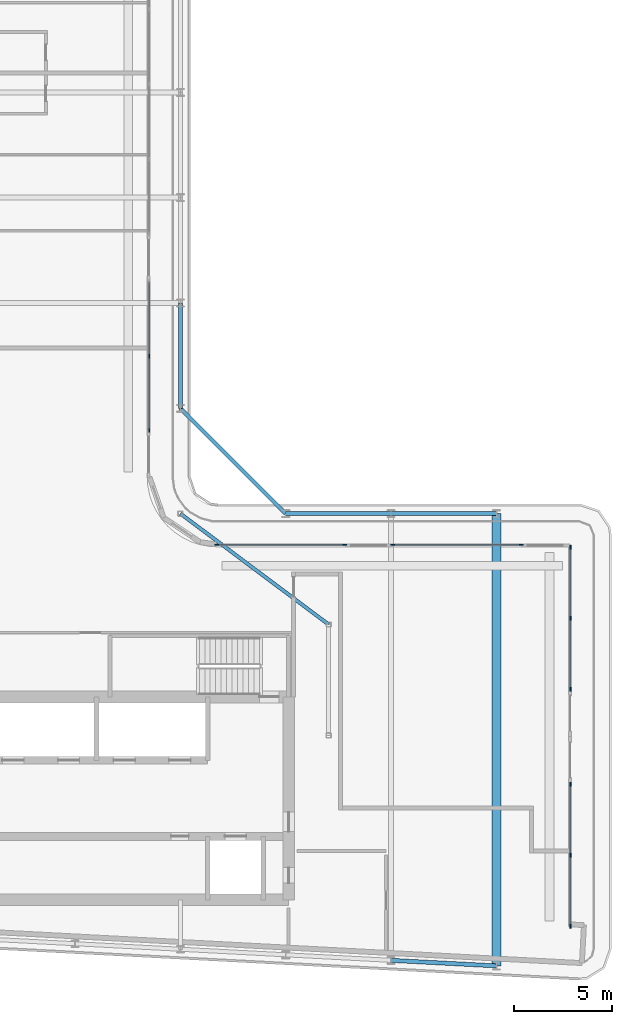
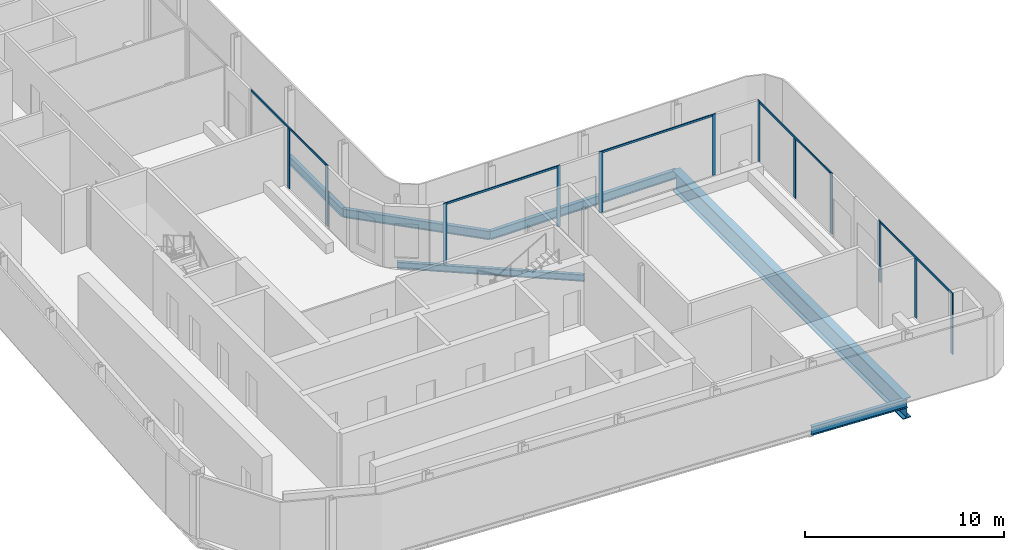
# One storey, part 6 of 20: 17 members, 7 beams, 5 elements without a shape of their own.
"""IFC4 building model written with IfcOpenShell, lengths in metres."""

import ifcopenshell
import ifcopenshell.guid

model = None  # the IFC model being written
_history = None  # IfcOwnerHistory: only IFC2X3 demands one
_inside = {}  # id of a spatial element -> (the spatial element, [elements in it])
_under = {}  # id of a project, library or spatial element -> (it, [spatial elements below it])
_declared = {}  # id of a project -> (the project, [libraries it declares])
_typed = {}  # id of a type object -> (the type object, [elements of that type])
_made_of = {}  # id of a material, layer set ... -> (it, [elements and type objects made of it])


def new_model(schema):
    """Start an empty IFC model of exactly this schema.

    Asked for "IFC4X3", IfcOpenShell would pick the latest addendum, in which some entities
    have other attributes; the version numbers below select the first issue.
    IFC2X3 requires an IfcOwnerHistory on every rooted entity: one is made here for all.
    """
    global model, _history
    if schema == "IFC4X3":
        model = ifcopenshell.file(schema_version=(4, 3, 0, 0))
    else:
        model = ifcopenshell.file(schema=schema)
    _inside.clear()
    _under.clear()
    _declared.clear()
    _typed.clear()
    _made_of.clear()
    _history = None
    if model.schema == "IFC2X3":
        org = make("IfcOrganization", Name="unknown")
        user = make(
            "IfcPersonAndOrganization",
            ThePerson=make("IfcPerson", FamilyName="unknown"),
            TheOrganization=org,
        )
        app = make(
            "IfcApplication",
            ApplicationDeveloper=org,
            Version="unknown",
            ApplicationFullName="unknown",
            ApplicationIdentifier="unknown",
        )
        _history = make(
            "IfcOwnerHistory",
            OwningUser=user,
            OwningApplication=app,
            ChangeAction="ADDED",
            CreationDate=0,
        )
    return model


def make(cls, **values):
    """One entity of the class cls with the attributes given. An attribute that is None is left unset."""
    return model.create_entity(
        cls, **{name: value for name, value in values.items() if value is not None}
    )


def rooted(cls, **values):
    """An entity with a GlobalId (a new one), such as an element, a storey or a relation."""
    return make(cls, GlobalId=ifcopenshell.guid.new(), OwnerHistory=_history, **values)


def si_unit(unit_type, name, prefix=None):
    """IfcSIUnit, for example si_unit("LENGTHUNIT", "METRE", prefix="MILLI")."""
    return make("IfcSIUnit", UnitType=unit_type, Prefix=prefix, Name=name)


def assignment(units):
    """IfcUnitAssignment: the units of a project."""
    return None if units is None else make("IfcUnitAssignment", Units=units)


def point(xyz):
    """IfcCartesianPoint."""
    return None if xyz is None else make("IfcCartesianPoint", Coordinates=xyz)


def direction(xyz):
    """IfcDirection."""
    return None if xyz is None else make("IfcDirection", DirectionRatios=xyz)


def frame(location, z_axis=None, x_axis=None):
    """IfcAxis2Placement3D, a coordinate frame: its origin and axes. An axis left out is left unset."""
    return make(
        "IfcAxis2Placement3D",
        Location=point(location),
        Axis=direction(z_axis),
        RefDirection=direction(x_axis),
    )


def frame_2d(location, x_axis=None):
    """IfcAxis2Placement2D, a coordinate frame in the plane: its origin and x axis."""
    return make(
        "IfcAxis2Placement2D", Location=point(location), RefDirection=direction(x_axis)
    )


def origin():
    """The frame at (0, 0, 0) with its axes left unset."""
    return frame((0.0, 0.0, 0.0))


def origin_2d():
    """The frame at (0, 0) in the plane with its x axis left unset."""
    return frame_2d((0.0, 0.0))


def place(relative_to, where):
    """IfcLocalPlacement: puts the frame where relative to a parent placement (None: the world)."""
    return make(
        "IfcLocalPlacement", PlacementRelTo=relative_to, RelativePlacement=where
    )


def context(
    kind, dimensions, precision=None, world=None, true_north=None, identifier=None
):
    """IfcGeometricRepresentationContext, for example the 3D "Model" context."""
    return make(
        "IfcGeometricRepresentationContext",
        ContextIdentifier=identifier,
        ContextType=kind,
        CoordinateSpaceDimension=dimensions,
        Precision=precision,
        WorldCoordinateSystem=world,
        TrueNorth=true_north,
    )


def subcontext(parent, identifier, kind, view, scale=None):
    """IfcGeometricRepresentationSubContext, for example "Body" below "Model"."""
    return make(
        "IfcGeometricRepresentationSubContext",
        ContextIdentifier=identifier,
        ContextType=kind,
        ParentContext=parent,
        TargetScale=scale,
        TargetView=view,
    )


def project(units=None, contexts=None):
    """IfcProject with its units and contexts."""
    return rooted(
        "IfcProject",
        Name="project",
        RepresentationContexts=contexts,
        UnitsInContext=assignment(units),
    )


def spatial(cls, under=None, at=None, **own):
    """A site, building, storey or space (cls), placed at a placement, below another one or the project."""
    s = rooted(cls, ObjectPlacement=at, **own)
    if under is not None:
        _under.setdefault(under.id(), (under, []))[1].append(s)
    return s


def profile(cls, at=None, kind="AREA", **sizes):
    """A parametric profile (cls). Its sizes go by their IFC names, for example OverallWidth=200.0."""
    return make(cls, ProfileType=kind, Position=at, **sizes)


def rectangle(**sizes):
    """IfcRectangleProfileDef."""
    return profile("IfcRectangleProfileDef", **sizes)


def i_section(**sizes):
    """IfcIShapeProfileDef."""
    return profile("IfcIShapeProfileDef", **sizes)


def extrude(swept, where, along, depth):
    """IfcExtrudedAreaSolid: the profile swept, set in the frame where, extruded along a direction by depth."""
    return make(
        "IfcExtrudedAreaSolid",
        SweptArea=swept,
        Position=where,
        ExtrudedDirection=direction(along),
        Depth=depth,
    )


def shape(context_of_items, identifier, shape_type, items):
    """IfcShapeRepresentation: the items that make up one representation, for example the "Body"."""
    return make(
        "IfcShapeRepresentation",
        ContextOfItems=context_of_items,
        RepresentationIdentifier=identifier,
        RepresentationType=shape_type,
        Items=items,
    )


def material(Name=None, Category=None):
    """IfcMaterial."""
    return make("IfcMaterial", Name=Name, Category=Category)


def layer(
    of_material, thickness, ventilated=None, Name=None, Category=None, Priority=None
):
    """IfcMaterialLayer: one layer of a wall or slab, of a material (None: an air gap)."""
    return make(
        "IfcMaterialLayer",
        Material=of_material,
        LayerThickness=thickness,
        IsVentilated=ventilated,
        Name=Name,
        Category=Category,
        Priority=Priority,
    )


def layer_set(layers, Name=None):
    """IfcMaterialLayerSet."""
    return make("IfcMaterialLayerSet", MaterialLayers=layers, LayerSetName=Name)


def material_profile(
    of_material, cross_section, Name=None, Category=None, Priority=None
):
    """IfcMaterialProfile: a cross section and its material."""
    return make(
        "IfcMaterialProfile",
        Name=Name,
        Material=of_material,
        Profile=cross_section,
        Priority=Priority,
        Category=Category,
    )


def profile_set(profiles, Name=None, composite=None):
    """IfcMaterialProfileSet."""
    return make(
        "IfcMaterialProfileSet",
        Name=Name,
        MaterialProfiles=profiles,
        CompositeProfile=composite,
    )


def made_of(thing, what):
    """Note that an element or type object is made of a material, layer set ...; save() writes the relation."""
    if what is not None:
        _made_of.setdefault(what.id(), (what, []))[1].append(thing)
    return thing


def type_object(cls, material=None, **own):
    """A type object (cls), such as IfcWallType, which elements share."""
    return made_of(rooted(cls, **own), material)


def element(
    cls,
    number,
    at=None,
    inside=None,
    cuts=None,
    type_object=None,
    material=None,
    context=None,
    identifier="Body",
    shape_type=None,
    held_by="IfcProductDefinitionShape",
    body=None,
    shapes=None,
    **own,
):
    """One element of the class cls, such as IfcWall. Its Tag is "e" and its number.

    at: its placement. inside: the storey or other place that contains it. cuts: it is an
    opening in that element (IfcRelVoidsElement). A single representation is given by context,
    identifier, shape_type and body (its items); several are given by shapes. held_by: the class
    of the entity that holds the representations. save() writes the other relations.
    """
    e = rooted(cls, Tag="e%d" % number, ObjectPlacement=at, **own)
    if body is not None:
        shapes = [shape(context, identifier, shape_type, body)]
    if shapes is not None:
        e.Representation = make(held_by, Representations=shapes)
    if inside is not None:
        _inside.setdefault(inside.id(), (inside, []))[1].append(e)
    if cuts is not None:
        rooted(
            "IfcRelVoidsElement", RelatingBuildingElement=cuts, RelatedOpeningElement=e
        )
    if type_object is not None:
        _typed.setdefault(type_object.id(), (type_object, []))[1].append(e)
    return made_of(e, material)


def aggregate(whole, parts):
    """IfcRelAggregates: a whole, such as a stair, and the parts it consists of."""
    return rooted("IfcRelAggregates", RelatingObject=whole, RelatedObjects=parts)


def save(model, path):
    """Write the relations noted so far, then the file.

    IfcRelAggregates (storeys below a building ...), IfcRelContainedInSpatialStructure (elements
    in a storey), IfcRelDefinesByType, IfcRelAssociatesMaterial and IfcRelDeclares: one each for
    every whole, place, type object, material and project.
    """
    for whole, parts in _under.values():
        aggregate(whole, parts)
    for where, things in _inside.values():
        rooted(
            "IfcRelContainedInSpatialStructure",
            RelatedElements=things,
            RelatingStructure=where,
        )
    for kind, things in _typed.values():
        rooted("IfcRelDefinesByType", RelatedObjects=things, RelatingType=kind)
    for what, things in _made_of.values():
        rooted("IfcRelAssociatesMaterial", RelatedObjects=things, RelatingMaterial=what)
    for by, libraries in _declared.values():
        rooted("IfcRelDeclares", RelatingContext=by, RelatedDefinitions=libraries)
    model.write(path)


model = new_model("IFC4")

# Units and contexts
model_context = context("Model", 3, precision=1e-05, world=origin(), true_north=direction((0.0, 1.0)))
body_context = subcontext(model_context, "Body", "Model", "MODEL_VIEW")
ifc_project = project(units=[si_unit("LENGTHUNIT", "METRE"), si_unit("AREAUNIT", "SQUARE_METRE"), si_unit("VOLUMEUNIT", "CUBIC_METRE"), si_unit("PLANEANGLEUNIT", "RADIAN"), si_unit("MASSUNIT", "GRAM", prefix="KILO")], contexts=[model_context])

# Site, building, storey
site_placement = place(None, origin())
site = spatial("IfcSite", under=ifc_project, at=site_placement, CompositionType="ELEMENT")
building_placement = place(site_placement, origin())
building = spatial("IfcBuilding", under=site, at=building_placement, Name="Kheshtan School and Residences Tower", CompositionType="ELEMENT")
storey_placement = place(building_placement, frame((0.0, 0.0, 286.39990234375)))
storey = spatial("IfcBuildingStorey", under=building, at=storey_placement, Name="L67", CompositionType="ELEMENT", Elevation=286.39990234375)

# Beams
ifc_material_1 = material(Name="Steel ASTM A992 Grade 50", Category="steel")
ifc_material_profile_1 = material_profile(ifc_material_1, i_section(OverallWidth=0.180908203125, OverallDepth=0.4169921875, WebThickness=0.010986328125, FlangeThickness=0.018310546875, FilletRadius=0.012451171875, at=origin_2d()), Name="W410x85")
ifc_profile_set_1 = profile_set([ifc_material_profile_1], Name="Steel ASTM A992 Grade 50")
beam_type_1 = type_object("IfcBeamType", Name="Beam FB3 W410x85 ASTM A992 Grade 50", PredefinedType="BEAM", material=ifc_profile_set_1)
beam_1_placement = place(storey_placement, frame((47.60009765625, 45.60009765625, -0.3583984375), z_axis=(0.800798828004, -0.598933416222, 0.0), x_axis=(0.598933416222, 0.800798828004, 0.0)))
element("IfcBeam", 1, at=beam_1_placement, inside=storey, type_object=beam_type_1, Name="Floor beam IC", PredefinedType="BEAM", context=body_context, shape_type="SweptSolid", body=[
    extrude(i_section(OverallWidth=0.180908203125, OverallDepth=0.4169921875, WebThickness=0.010986328125, FlangeThickness=0.018310546875, FilletRadius=0.012451171875, at=origin_2d()), origin(), (0.0, 0.0, 1.0), 9.490234375),
])
ifc_material_profile_2 = material_profile(ifc_material_1, i_section(OverallWidth=0.208984375, OverallDepth=0.532958984375, WebThickness=0.01025390625, FlangeThickness=0.015625, FilletRadius=0.013916015625, at=origin_2d()), Name="W530x92")
ifc_profile_set_2 = profile_set([ifc_material_profile_2], Name="Steel ASTM A992 Grade 50")
beam_type_2 = type_object("IfcBeamType", Name="Beam SP3 W530x92 ASTM A992 Grade 50", PredefinedType="BEAM", material=ifc_profile_set_2)
beam_2_placement = place(storey_placement, frame((47.60009765625, 56.39990234375, -0.41650390625), z_axis=(0.0, -1.0, 0.0), x_axis=(1.0, 0.0, 0.0)))
element("IfcBeam", 2, at=beam_2_placement, inside=storey, type_object=beam_type_2, Name="Spandrel beam C081-C079", PredefinedType="BEAM", context=body_context, shape_type="SweptSolid", body=[
    extrude(i_section(OverallWidth=0.208984375, OverallDepth=0.532958984375, WebThickness=0.01025390625, FlangeThickness=0.015625, FilletRadius=0.013916015625, at=origin_2d()), origin(), (0.0, 0.0, 1.0), 5.39990234375),
])
beam_3_placement = place(storey_placement, frame((47.60009765625, 51.0, -0.41650390625), z_axis=(0.707106781187, -0.707106781187, 0.0), x_axis=(0.707106781187, 0.707106781187, 0.0)))
element("IfcBeam", 3, at=beam_3_placement, inside=storey, type_object=beam_type_2, Name="Spandrel beam C079-C061", PredefinedType="BEAM", context=body_context, shape_type="SweptSolid", body=[
    extrude(i_section(OverallWidth=0.208984375, OverallDepth=0.532958984375, WebThickness=0.01025390625, FlangeThickness=0.015625, FilletRadius=0.013916015625, at=origin_2d()), origin(), (0.0, 0.0, 1.0), 7.63671875),
])
beam_4_placement = place(storey_placement, frame((53.0, 45.60009765625, -0.41650390625), z_axis=(1.0, 0.0, 0.0), x_axis=(0.0, 1.0, 0.0)))
element("IfcBeam", 4, at=beam_4_placement, inside=storey, type_object=beam_type_2, Name="Spandrel beam C061-C062", PredefinedType="BEAM", context=body_context, shape_type="SweptSolid", body=[
    extrude(i_section(OverallWidth=0.208984375, OverallDepth=0.532958984375, WebThickness=0.01025390625, FlangeThickness=0.015625, FilletRadius=0.013916015625, at=origin_2d()), origin(), (0.0, 0.0, 1.0), 5.39990234375),
])
beam_5_placement = place(storey_placement, frame((58.39990234375, 45.60009765625, -0.41650390625), z_axis=(1.0, 0.0, 0.0), x_axis=(0.0, 1.0, 0.0)))
element("IfcBeam", 5, at=beam_5_placement, inside=storey, type_object=beam_type_2, Name="Spandrel beam C062-C063", PredefinedType="BEAM", context=body_context, shape_type="SweptSolid", body=[
    extrude(i_section(OverallWidth=0.208984375, OverallDepth=0.532958984375, WebThickness=0.01025390625, FlangeThickness=0.015625, FilletRadius=0.013916015625, at=origin_2d()), origin(), (0.0, 0.0, 1.0), 5.400146484375),
])
beam_6_placement = place(storey_placement, frame((63.800048828125, 22.410888671875, -0.41650390625), z_axis=(-0.998618203458, 0.052551724256, 0.0), x_axis=(-0.052551724256, -0.998618203458, 0.0)))
element("IfcBeam", 6, at=beam_6_placement, inside=storey, type_object=beam_type_2, Name="Spandrel beam C016-C018", PredefinedType="BEAM", context=body_context, shape_type="SweptSolid", body=[
    extrude(i_section(OverallWidth=0.208984375, OverallDepth=0.532958984375, WebThickness=0.01025390625, FlangeThickness=0.015625, FilletRadius=0.013916015625, at=origin_2d()), origin(), (0.0, 0.0, 1.0), 5.40771484375),
])

# Curtain wall, members
ifc_material_2 = material(Name="Clear low-e glass in thermally broken aluminium frame", Category="aluminium")
ifc_layer = layer(ifc_material_2, 0.199951171875)
ifc_layer_set = layer_set([ifc_layer], Name="Curtain wall CW-L")
curtain_wall_type = type_object("IfcCurtainWallType", Name="Curtain wall CW-L", PredefinedType="NOTDEFINED", material=ifc_layer_set)
curtain_wall_1_placement = place(storey_placement, origin())
curtain_wall_1 = element("IfcCurtainWall", 7, at=curtain_wall_1_placement, inside=storey, type_object=curtain_wall_type, Name="Curtain wall CWL8", PredefinedType="NOTDEFINED")
ifc_material_3 = material(Name="Thermally broken aluminium, dark bronze anodised", Category="aluminium")
ifc_material_profile_3 = material_profile(ifc_material_3, rectangle(XDim=0.06005859375, YDim=0.199951171875, at=origin_2d()), Name="CW-L mullion 60x200")
ifc_profile_set_3 = profile_set([ifc_material_profile_3], Name="Thermally broken aluminium, dark bronze anodised")
member_type_1 = type_object("IfcMemberType", Name="CW-L mullion 60x200", PredefinedType="MULLION", material=ifc_profile_set_3)
member_1_placement = place(storey_placement, frame((46.0, 53.677001953125, 0.0), z_axis=(0.0, 0.0, 1.0), x_axis=(1.0, 0.0, 0.0)))
member_1 = element("IfcMember", 8, at=member_1_placement, type_object=member_type_1, Name="CWL8 mullion 2", PredefinedType="MULLION", context=body_context, shape_type="SweptSolid", body=[
    extrude(rectangle(XDim=0.06005859375, YDim=0.199951171875, at=origin_2d()), origin(), (0.0, 0.0, 1.0), 3.630126953125),
])
member_2_placement = place(storey_placement, frame((46.0, 49.860107421875, 0.0), z_axis=(0.0, 0.0, 1.0), x_axis=(1.0, 0.0, 0.0)))
member_2 = element("IfcMember", 9, at=member_2_placement, type_object=member_type_1, Name="CWL8 mullion 3", PredefinedType="MULLION", context=body_context, shape_type="SweptSolid", body=[
    extrude(rectangle(XDim=0.06005859375, YDim=0.199951171875, at=origin_2d()), origin(), (0.0, 0.0, 1.0), 3.75),
])

curtain_wall_2_placement = place(storey_placement, origin())
curtain_wall_2 = element("IfcCurtainWall", 10, at=curtain_wall_2_placement, inside=storey, type_object=curtain_wall_type, Name="Curtain wall CWL1233", PredefinedType="NOTDEFINED")
member_3_placement = place(storey_placement, frame((49.4599609375, 44.0, 0.0), z_axis=(0.0, 0.0, 1.0), x_axis=(0.0, 1.0, 0.0)))
member_3 = element("IfcMember", 11, at=member_3_placement, type_object=member_type_1, Name="CWL1233 mullion 1", PredefinedType="MULLION", context=body_context, shape_type="SweptSolid", body=[
    extrude(rectangle(XDim=0.06005859375, YDim=0.199951171875, at=origin_2d()), origin(), (0.0, 0.0, 1.0), 3.75),
])
member_4_placement = place(storey_placement, frame((56.034912109375, 44.0, 0.0), z_axis=(0.0, 0.0, 1.0), x_axis=(0.0, 1.0, 0.0)))
member_4 = element("IfcMember", 12, at=member_4_placement, type_object=member_type_1, Name="CWL1233 mullion 2", PredefinedType="MULLION", context=body_context, shape_type="SweptSolid", body=[
    extrude(rectangle(XDim=0.06005859375, YDim=0.199951171875, at=origin_2d()), origin(), (0.0, 0.0, 1.0), 3.75),
])

curtain_wall_3_placement = place(storey_placement, origin())
curtain_wall_3 = element("IfcCurtainWall", 13, at=curtain_wall_3_placement, inside=storey, type_object=curtain_wall_type, Name="Curtain wall CWL1233", PredefinedType="NOTDEFINED")
member_5_placement = place(storey_placement, frame((58.4951171875, 44.0, 0.0), z_axis=(0.0, 0.0, 1.0), x_axis=(0.0, 1.0, 0.0)))
member_5 = element("IfcMember", 14, at=member_5_placement, type_object=member_type_1, Name="CWL1233 mullion 1", PredefinedType="MULLION", context=body_context, shape_type="SweptSolid", body=[
    extrude(rectangle(XDim=0.06005859375, YDim=0.199951171875, at=origin_2d()), origin(), (0.0, 0.0, 1.0), 3.75),
])
member_6_placement = place(storey_placement, frame((65.070068359375, 44.0, 0.0), z_axis=(0.0, 0.0, 1.0), x_axis=(0.0, 1.0, 0.0)))
member_6 = element("IfcMember", 15, at=member_6_placement, type_object=member_type_1, Name="CWL1233 mullion 2", PredefinedType="MULLION", context=body_context, shape_type="SweptSolid", body=[
    extrude(rectangle(XDim=0.06005859375, YDim=0.199951171875, at=origin_2d()), origin(), (0.0, 0.0, 1.0), 3.75),
])

curtain_wall_4_placement = place(storey_placement, origin())
curtain_wall_4 = element("IfcCurtainWall", 16, at=curtain_wall_4_placement, inside=storey, type_object=curtain_wall_type, Name="Curtain wall CWL13e", PredefinedType="NOTDEFINED")
member_7_placement = place(storey_placement, frame((67.60009765625, 43.8701171875, 0.0), z_axis=(0.0, 0.0, 1.0), x_axis=(1.0, 0.0, 0.0)))
member_7 = element("IfcMember", 17, at=member_7_placement, type_object=member_type_1, Name="CWL13e mullion 1", PredefinedType="MULLION", context=body_context, shape_type="SweptSolid", body=[
    extrude(rectangle(XDim=0.06005859375, YDim=0.199951171875, at=origin_2d()), origin(), (0.0, 0.0, 1.0), 3.75),
])
member_8_placement = place(storey_placement, frame((67.60009765625, 40.229736328125, 0.0), z_axis=(0.0, 0.0, 1.0), x_axis=(1.0, 0.0, 0.0)))
member_8 = element("IfcMember", 18, at=member_8_placement, type_object=member_type_1, Name="CWL13e mullion 2", PredefinedType="MULLION", context=body_context, shape_type="SweptSolid", body=[
    extrude(rectangle(XDim=0.06005859375, YDim=0.199951171875, at=origin_2d()), origin(), (0.0, 0.0, 1.0), 3.630126953125),
])
member_9_placement = place(storey_placement, frame((67.60009765625, 36.589599609375, 0.0), z_axis=(0.0, 0.0, 1.0), x_axis=(1.0, 0.0, 0.0)))
member_9 = element("IfcMember", 19, at=member_9_placement, type_object=member_type_1, Name="CWL13e mullion 3", PredefinedType="MULLION", context=body_context, shape_type="SweptSolid", body=[
    extrude(rectangle(XDim=0.06005859375, YDim=0.199951171875, at=origin_2d()), origin(), (0.0, 0.0, 1.0), 3.75),
])

curtain_wall_5_placement = place(storey_placement, origin())
curtain_wall_5 = element("IfcCurtainWall", 20, at=curtain_wall_5_placement, inside=storey, type_object=curtain_wall_type, Name="Curtain wall CWL13e", PredefinedType="NOTDEFINED")
member_10_placement = place(storey_placement, frame((67.60009765625, 31.7294921875, 0.0), z_axis=(0.0, 0.0, 1.0), x_axis=(1.0, 0.0, 0.0)))
member_10 = element("IfcMember", 21, at=member_10_placement, type_object=member_type_1, Name="CWL13e mullion 1", PredefinedType="MULLION", context=body_context, shape_type="SweptSolid", body=[
    extrude(rectangle(XDim=0.06005859375, YDim=0.199951171875, at=origin_2d()), origin(), (0.0, 0.0, 1.0), 3.75),
])
member_11_placement = place(storey_placement, frame((67.60009765625, 28.08935546875, 0.0), z_axis=(0.0, 0.0, 1.0), x_axis=(1.0, 0.0, 0.0)))
member_11 = element("IfcMember", 22, at=member_11_placement, type_object=member_type_1, Name="CWL13e mullion 2", PredefinedType="MULLION", context=body_context, shape_type="SweptSolid", body=[
    extrude(rectangle(XDim=0.06005859375, YDim=0.199951171875, at=origin_2d()), origin(), (0.0, 0.0, 1.0), 3.630126953125),
])
member_12_placement = place(storey_placement, frame((67.60009765625, 24.448974609375, 0.0), z_axis=(0.0, 0.0, 1.0), x_axis=(1.0, 0.0, 0.0)))
member_12 = element("IfcMember", 23, at=member_12_placement, type_object=member_type_1, Name="CWL13e mullion 3", PredefinedType="MULLION", context=body_context, shape_type="SweptSolid", body=[
    extrude(rectangle(XDim=0.06005859375, YDim=0.199951171875, at=origin_2d()), origin(), (0.0, 0.0, 1.0), 3.75),
])

# Member
ifc_material_profile_4 = material_profile(ifc_material_3, rectangle(XDim=0.06005859375, YDim=0.1201171875, at=origin_2d()), Name="CW-L transom 60x120")
ifc_profile_set_4 = profile_set([ifc_material_profile_4], Name="Thermally broken aluminium, dark bronze anodised")
member_type_2 = type_object("IfcMemberType", Name="CW-L transom 60x120", PredefinedType="USERDEFINED", material=ifc_profile_set_4)
member_13_placement = place(storey_placement, frame((46.0, 57.464111328125, 3.690185546875), z_axis=(0.0, -1.0, 0.0), x_axis=(1.0, 0.0, 0.0)))
member_13 = element("IfcMember", 24, at=member_13_placement, type_object=member_type_2, Name="CWL8 transom 1", ObjectType="TRANSOM", PredefinedType="USERDEFINED", context=body_context, shape_type="SweptSolid", body=[
    extrude(rectangle(XDim=0.06005859375, YDim=0.1201171875, at=origin_2d()), origin(), (0.0, 0.0, 1.0), 7.57421875),
])

aggregate(curtain_wall_1, [member_1, member_2, member_13])

member_14_placement = place(storey_placement, frame((49.489990234375, 44.0, 3.690185546875), z_axis=(1.0, 0.0, 0.0), x_axis=(0.0, 1.0, 0.0)))
member_14 = element("IfcMember", 25, at=member_14_placement, type_object=member_type_2, Name="CWL1233 transom 1", ObjectType="TRANSOM", PredefinedType="USERDEFINED", context=body_context, shape_type="SweptSolid", body=[
    extrude(rectangle(XDim=0.06005859375, YDim=0.1201171875, at=origin_2d()), origin(), (0.0, 0.0, 1.0), 6.514892578125),
])

aggregate(curtain_wall_2, [member_3, member_4, member_14])

member_15_placement = place(storey_placement, frame((58.52490234375, 44.0, 3.690185546875), z_axis=(1.0, 0.0, 0.0), x_axis=(0.0, 1.0, 0.0)))
member_15 = element("IfcMember", 26, at=member_15_placement, type_object=member_type_2, Name="CWL1233 transom 1", ObjectType="TRANSOM", PredefinedType="USERDEFINED", context=body_context, shape_type="SweptSolid", body=[
    extrude(rectangle(XDim=0.06005859375, YDim=0.1201171875, at=origin_2d()), origin(), (0.0, 0.0, 1.0), 6.51513671875),
])

aggregate(curtain_wall_3, [member_5, member_6, member_15])

member_16_placement = place(storey_placement, frame((67.60009765625, 43.840087890625, 3.690185546875), z_axis=(0.0, -1.0, 0.0), x_axis=(1.0, 0.0, 0.0)))
member_16 = element("IfcMember", 27, at=member_16_placement, type_object=member_type_2, Name="CWL13e transom 1", ObjectType="TRANSOM", PredefinedType="USERDEFINED", context=body_context, shape_type="SweptSolid", body=[
    extrude(rectangle(XDim=0.06005859375, YDim=0.1201171875, at=origin_2d()), origin(), (0.0, 0.0, 1.0), 7.220703125),
])

aggregate(curtain_wall_4, [member_7, member_8, member_9, member_16])

member_17_placement = place(storey_placement, frame((67.60009765625, 31.699462890625, 3.690185546875), z_axis=(0.0, -1.0, 0.0), x_axis=(1.0, 0.0, 0.0)))
member_17 = element("IfcMember", 28, at=member_17_placement, type_object=member_type_2, Name="CWL13e transom 1", ObjectType="TRANSOM", PredefinedType="USERDEFINED", context=body_context, shape_type="SweptSolid", body=[
    extrude(rectangle(XDim=0.06005859375, YDim=0.1201171875, at=origin_2d()), origin(), (0.0, 0.0, 1.0), 7.220458984375),
])

aggregate(curtain_wall_5, [member_10, member_11, member_12, member_17])

# Beam
ifc_material_profile_5 = material_profile(ifc_material_1, i_section(OverallWidth=0.449951171875, OverallDepth=1.25, WebThickness=0.02490234375, FlangeThickness=0.044921875, FilletRadius=0.03759765625, at=origin_2d()), Name="WWF1250x546")
ifc_profile_set_5 = profile_set([ifc_material_profile_5], Name="Steel ASTM A992 Grade 50")
beam_type_3 = type_object("IfcBeamType", Name="Transfer girder TG4 WWF1250x546 ASTM A992 Grade 50", PredefinedType="BEAM", material=ifc_profile_set_5)
beam_7_placement = place(storey_placement, frame((63.800048828125, 45.60009765625, -0.77490234375), z_axis=(0.0, -1.0, 0.0), x_axis=(1.0, 0.0, 0.0)))
element("IfcBeam", 29, at=beam_7_placement, inside=storey, type_object=beam_type_3, Name="Transfer girder C063-C016", PredefinedType="BEAM", context=body_context, shape_type="SweptSolid", body=[
    extrude(i_section(OverallWidth=0.449951171875, OverallDepth=1.25, WebThickness=0.02490234375, FlangeThickness=0.044921875, FilletRadius=0.03759765625, at=origin_2d()), origin(), (0.0, 0.0, 1.0), 23.189208984375),
])

save(model, "model.ifc")
